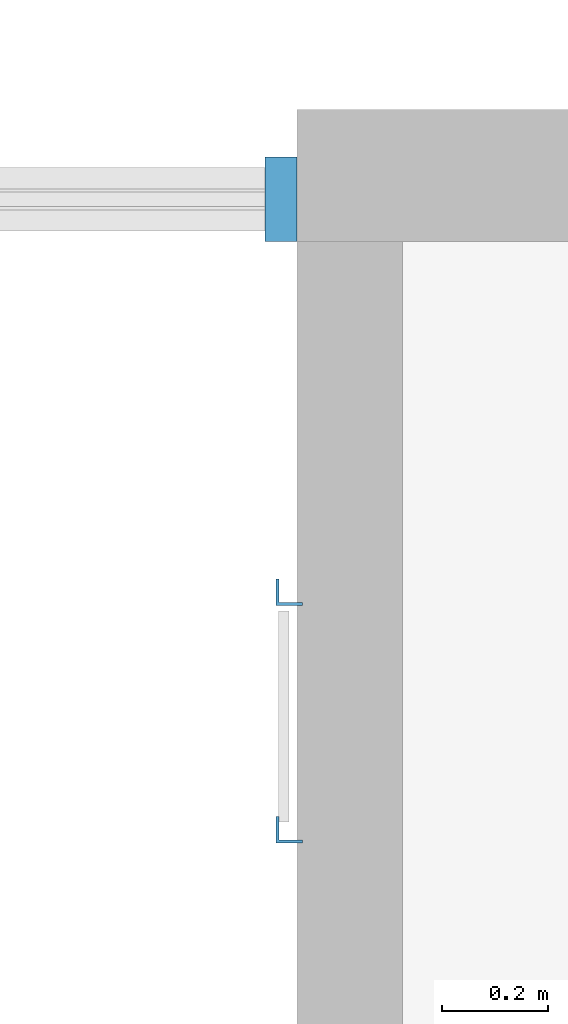
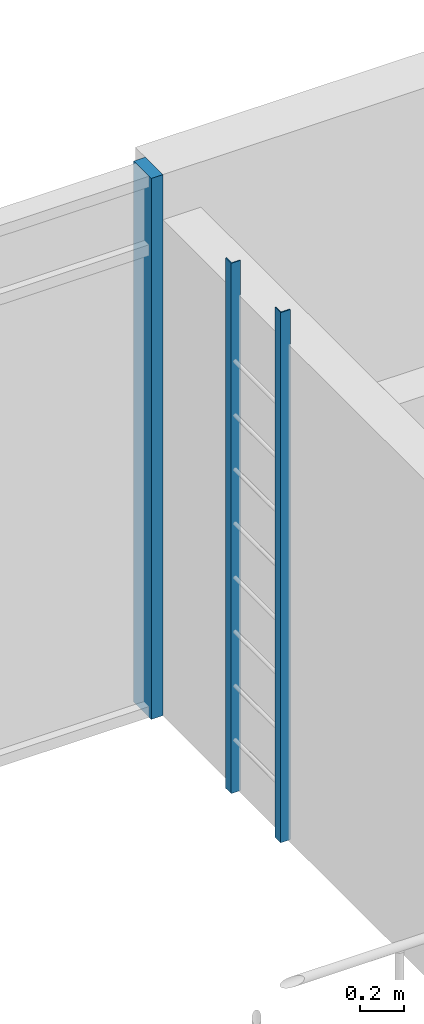
# One storey, part 9 of 55: 3 members, 1 element without a shape of its own.
"""IFC4 building model written with IfcOpenShell, lengths in metres."""

from ifc_helpers import new_model, si_unit, direction, frame, origin, origin_2d, place, context, subcontext, project, spatial, polyline, rectangle, outline, extrude, material, material_profile, profile_set, type_object, element, aggregate, save


model = new_model("IFC4")

# Units and contexts
model_context = context("Model", 3, precision=1e-05, world=origin(), true_north=direction((0.0, 1.0)))
body_context = subcontext(model_context, "Body", "Model", "MODEL_VIEW")
ifc_project = project(units=[si_unit("LENGTHUNIT", "METRE"), si_unit("AREAUNIT", "SQUARE_METRE"), si_unit("VOLUMEUNIT", "CUBIC_METRE"), si_unit("PLANEANGLEUNIT", "RADIAN"), si_unit("MASSUNIT", "GRAM", prefix="KILO")], contexts=[model_context])

# Site, building, storey
site_placement = place(None, origin())
site = spatial("IfcSite", under=ifc_project, at=site_placement, CompositionType="ELEMENT")
building_placement = place(site_placement, origin())
building = spatial("IfcBuilding", under=site, at=building_placement, Name="Ridgestep Commons", CompositionType="ELEMENT")
storey_placement = place(building_placement, frame((0.0, 0.0, 36.0)))
storey = spatial("IfcBuildingStorey", under=building, at=storey_placement, Name="L12", CompositionType="ELEMENT", Elevation=36.0)

# Members
ifc_material_1 = material(Name="Structural steel S355JR", Category="steel")
ifc_material_profile_1 = material_profile(ifc_material_1, outline(polyline([(-0.014404296875, -0.014404296875), (0.03564453125, -0.014404296875), (0.03564453125, -0.00927734375), (-0.00927734375, -0.00927734375), (-0.00927734375, 0.03564453125), (-0.014404296875, 0.03564453125), (-0.014404296875, -0.014404296875)])), Name="EA 50x50x5")
ifc_profile_set_1 = profile_set([ifc_material_profile_1], Name="Structural steel S355JR")
member_type_1 = type_object("IfcMemberType", Name="Core ladder stile EA 50x50x5", PredefinedType="STRINGER", material=ifc_profile_set_1)
for number, where, z_axis, x_axis, name in (
    (1, (76.199951171875, 21.625, 0.0), (0.0, 0.0, 1.0), (1.0, 0.0, 0.0), "Ladder stile A4C.1"),
    (2, (76.199951171875, 22.074951171875, 0.0), (0.0, 0.0, 1.0), (1.0, 0.0, 0.0), "Ladder stile A4C.2"),
):
    element("IfcMember", number, at=place(storey_placement, frame(where, z_axis=z_axis, x_axis=x_axis)), inside=storey, type_object=member_type_1, Name=name, PredefinedType="STRINGER", context=body_context, shape_type="SweptSolid", body=[
        extrude(outline(polyline([(-0.014404296875, -0.014404296875), (0.03564453125, -0.014404296875), (0.03564453125, -0.00927734375), (-0.00927734375, -0.00927734375), (-0.00927734375, 0.03564453125), (-0.014404296875, 0.03564453125), (-0.014404296875, -0.014404296875)])), origin(), (0.0, 0.0, 1.0), 2.93994140625),
    ])

# Curtain wall, member
ifc_material_2 = material(Name="Aluminium 6063-T6 and glass", Category="aluminium")
curtain_wall_type = type_object("IfcCurtainWallType", Name="Curtain wall stair strip", PredefinedType="NOTDEFINED", material=ifc_material_2)
curtain_wall_placement = place(storey_placement, origin())
curtain_wall = element("IfcCurtainWall", 3, at=curtain_wall_placement, inside=storey, type_object=curtain_wall_type, Name="Curtain wall A4C level 12", PredefinedType="NOTDEFINED")
ifc_material_3 = material(Name="Aluminium 6063-T6", Category="aluminium")
ifc_material_profile_2 = material_profile(ifc_material_3, rectangle(XDim=0.159912109375, YDim=0.06005859375, at=origin_2d()), Name="Mullion 60 x 160")
ifc_profile_set_2 = profile_set([ifc_material_profile_2], Name="Aluminium 6063-T6")
member_type_2 = type_object("IfcMemberType", Name="Mullion 60 x 160", PredefinedType="MULLION", material=ifc_profile_set_2)
member_placement = place(storey_placement, frame((76.195068359375, 22.830078125, 0.0), z_axis=(0.0, 0.0, 1.0), x_axis=(0.0, 1.0, 0.0)))
member = element("IfcMember", 4, at=member_placement, type_object=member_type_2, Name="CW1 mullion 3", PredefinedType="MULLION", context=body_context, shape_type="SweptSolid", body=[
    extrude(rectangle(XDim=0.159912109375, YDim=0.06005859375, at=origin_2d()), origin(), (0.0, 0.0, 1.0), 3.0),
])
aggregate(curtain_wall, [member])

save(model, "model.ifc")
